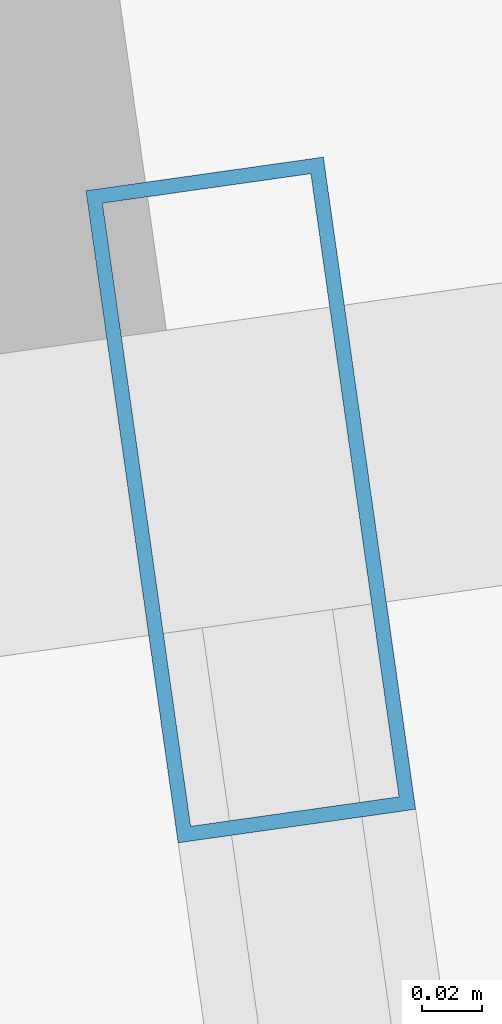
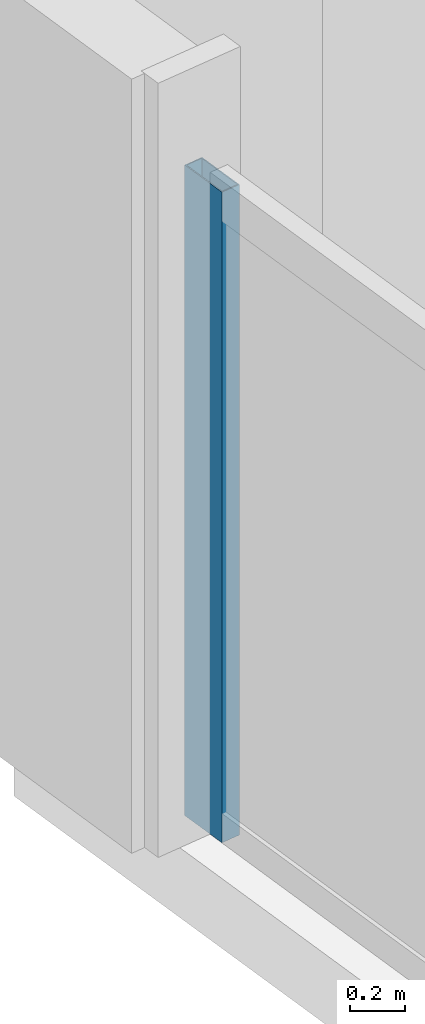
# One storey, part 16 of 33: 1 member, 1 element without a shape of its own.
"""IFC4 building model written with IfcOpenShell, lengths in metres."""

from ifc_helpers import new_model, si_unit, direction, frame, origin, origin_2d, place, context, subcontext, project, spatial, hollow_rectangle, extrude, material, material_profile, profile_set, type_object, element, aggregate, save


model = new_model("IFC4")

# Units and contexts
model_context = context("Model", 3, precision=1e-05, world=origin(), true_north=direction((0.0, 1.0)))
body_context = subcontext(model_context, "Body", "Model", "MODEL_VIEW")
ifc_project = project(units=[si_unit("LENGTHUNIT", "METRE"), si_unit("AREAUNIT", "SQUARE_METRE"), si_unit("VOLUMEUNIT", "CUBIC_METRE"), si_unit("PLANEANGLEUNIT", "RADIAN"), si_unit("MASSUNIT", "GRAM", prefix="KILO")], contexts=[model_context])

# Site, building, storey
site_placement = place(None, origin())
site = spatial("IfcSite", under=ifc_project, at=site_placement, CompositionType="ELEMENT")
building_placement = place(site_placement, origin())
building = spatial("IfcBuilding", under=site, at=building_placement, Name="Haldenkirk Collegiate Tower", CompositionType="ELEMENT")
storey_placement = place(building_placement, frame((0.0, 0.0, 55.199951171875)))
storey = spatial("IfcBuildingStorey", under=building, at=storey_placement, Name="L12", CompositionType="ELEMENT", Elevation=55.199951171875)

# Curtain wall, member
ifc_material = material(Name="Anodised architectural bronze aluminium", Category="aluminium")
curtain_wall_type = type_object("IfcCurtainWallType", Name="CW-SYS1-CONVEX-LOW", PredefinedType="USERDEFINED", material=ifc_material)
curtain_wall_placement = place(storey_placement, origin())
curtain_wall = element("IfcCurtainWall", 1, at=curtain_wall_placement, inside=storey, type_object=curtain_wall_type, Name="L12 Lower tower convex bronze-framed unitised curtain wall", ObjectType="UNITISED CURTAIN WALL", PredefinedType="USERDEFINED")
ifc_material_profile = material_profile(ifc_material, hollow_rectangle(XDim=0.080078125, YDim=0.219970703125, WallThickness=0.0048828125, at=origin_2d()), Name="CW-MUL-1A")
ifc_profile_set = profile_set([ifc_material_profile], Name="Anodised architectural bronze aluminium")
member_type = type_object("IfcMemberType", Name="CW-MUL-1A", PredefinedType="MULLION", material=ifc_profile_set)
member_placement = place(storey_placement, frame((6.918701171875, 42.60107421875, 0.0), z_axis=(0.0, 0.0, 1.0), x_axis=(-0.990145921918, -0.140039470541, 0.0)))
member = element("IfcMember", 2, at=member_placement, type_object=member_type, Name="CW-1A mullion 5", PredefinedType="MULLION", context=body_context, shape_type="SweptSolid", body=[
    extrude(hollow_rectangle(XDim=0.080078125, YDim=0.219970703125, WallThickness=0.0048828125, at=origin_2d()), origin(), (0.0, 0.0, 1.0), 2.89111328125),
])
aggregate(curtain_wall, [member])

save(model, "model.ifc")
